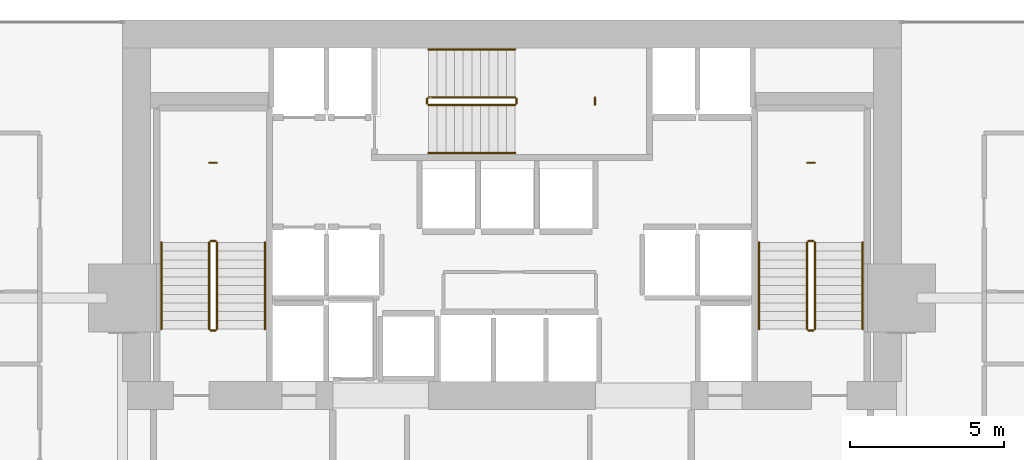
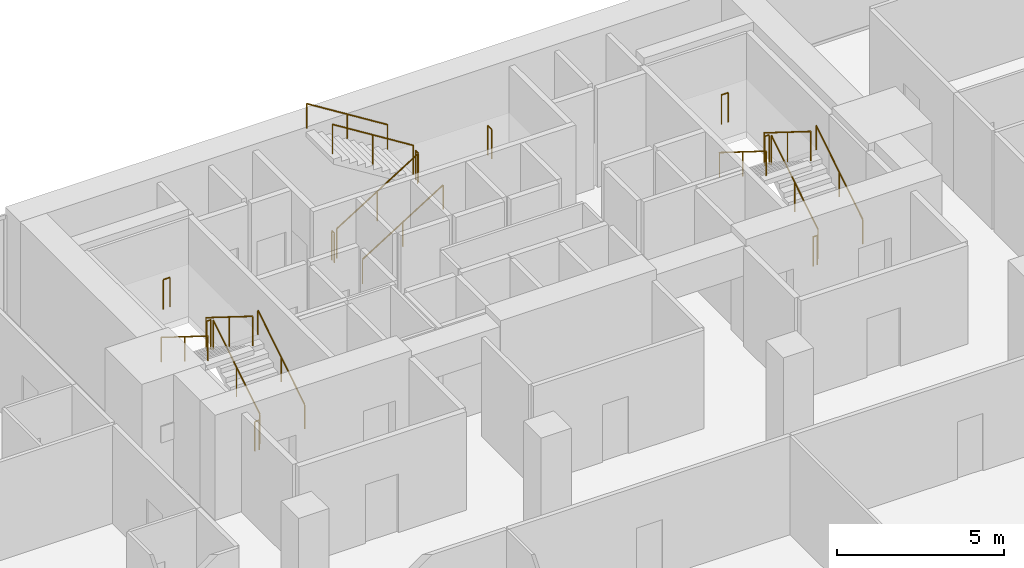
# One storey, part 40 of 40: 21 railings.
"""IFC4 building model written with IfcOpenShell, lengths in metres."""

from ifc_helpers import new_model, si_unit, direction, frame, origin, origin_2d, place, context, subcontext, project, spatial, circle, extrude, material, type_object, element, save


model = new_model("IFC4")

# Units and contexts
model_context = context("Model", 3, precision=1e-05, world=origin(), true_north=direction((0.0, 1.0)))
body_context = subcontext(model_context, "Body", "Model", "MODEL_VIEW")
ifc_project = project(units=[si_unit("LENGTHUNIT", "METRE"), si_unit("AREAUNIT", "SQUARE_METRE"), si_unit("VOLUMEUNIT", "CUBIC_METRE"), si_unit("PLANEANGLEUNIT", "RADIAN"), si_unit("MASSUNIT", "GRAM", prefix="KILO")], contexts=[model_context])

# Site, building, storey
site_placement = place(None, origin())
site = spatial("IfcSite", under=ifc_project, at=site_placement, CompositionType="ELEMENT")
building_placement = place(site_placement, origin())
building = spatial("IfcBuilding", under=site, at=building_placement, Name="Maruvema Waterfront Hotel and Observation Tower", CompositionType="ELEMENT")
storey_placement = place(building_placement, frame((0.0, 0.0, 42.35009765625)))
storey = spatial("IfcBuildingStorey", under=building, at=storey_placement, Name="L09", CompositionType="ELEMENT", Elevation=42.35009765625)

# Railings
ifc_material_1 = material(Name="Brushed stainless steel Grade 316", Category="steel")
railing_type_1 = type_object("IfcRailingType", Name="Ramp Continuous Wall Handrail 920 mm", PredefinedType="HANDRAIL", material=ifc_material_1)
railing_1_placement = place(storey_placement, frame((29.800048828125, 44.0, 0.1748046875)))
element("IfcRailing", 1, at=railing_1_placement, inside=storey, type_object=railing_type_1, Name="L09 ST-01 stair handrail 1", PredefinedType="HANDRAIL", context=body_context, shape_type="SweptSolid", body=[
    extrude(circle(Radius=0.02392578125, at=origin_2d()), frame((0.0, 0.0, 0.89599609375), z_axis=(0.0, 0.848002457836, 0.529992293815), x_axis=(-1.0, 0.0, 0.0)), (0.0, 0.0, 1.0), 3.302001953125),
    extrude(circle(Radius=0.02099609375, at=origin_2d()), origin(), (0.0, 0.0, 1.0), 0.871826171875),
    extrude(circle(Radius=0.02099609375, at=origin_2d()), frame((0.0, 1.39990234375, 0.875)), (0.0, 0.0, 1.0), 0.871826171875),
    extrude(circle(Radius=0.02099609375, at=origin_2d()), frame((0.0, 2.800048828125, 1.75)), (0.0, 0.0, 1.0), 0.871826171875),
])
railing_2_placement = place(storey_placement, frame((26.449951171875, 46.800048828125, 2.099853515625)))
element("IfcRailing", 2, at=railing_2_placement, inside=storey, type_object=railing_type_1, Name="L09 ST-01 stair handrail 2", PredefinedType="HANDRAIL", context=body_context, shape_type="SweptSolid", body=[
    extrude(circle(Radius=0.02392578125, at=origin_2d()), frame((0.0, 0.0, 0.89599609375), z_axis=(0.0, -0.848002457836, 0.529992293815), x_axis=(1.0, 0.0, 0.0)), (0.0, 0.0, 1.0), 3.302001953125),
    extrude(circle(Radius=0.02099609375, at=origin_2d()), origin(), (0.0, 0.0, 1.0), 0.871826171875),
    extrude(circle(Radius=0.02099609375, at=origin_2d()), frame((0.0, -1.39990234375, 0.875)), (0.0, 0.0, 1.0), 0.871826171875),
    extrude(circle(Radius=0.02099609375, at=origin_2d()), frame((0.0, -2.800048828125, 1.75)), (0.0, 0.0, 1.0), 0.871826171875),
])
railing_3_placement = place(storey_placement, frame((35.10009765625, 49.699951171875, 0.1748046875)))
element("IfcRailing", 3, at=railing_3_placement, inside=storey, type_object=railing_type_1, Name="L09 ST-02 stair handrail 1", PredefinedType="HANDRAIL", context=body_context, shape_type="SweptSolid", body=[
    extrude(circle(Radius=0.02392578125, at=origin_2d()), frame((0.0, 0.0, 0.89599609375), z_axis=(0.847981687118, 0.0, 0.530025526095), x_axis=(0.0, 1.0, 0.0)), (0.0, 0.0, 1.0), 3.3017578125),
    extrude(circle(Radius=0.02099609375, at=origin_2d()), origin(), (0.0, 0.0, 1.0), 0.871826171875),
    extrude(circle(Radius=0.02099609375, at=origin_2d()), frame((1.39990234375, 0.0, 0.875)), (0.0, 0.0, 1.0), 0.871826171875),
    extrude(circle(Radius=0.02099609375, at=origin_2d()), frame((2.7998046875, 0.0, 1.75)), (0.0, 0.0, 1.0), 0.871826171875),
])
railing_4_placement = place(storey_placement, frame((37.89990234375, 53.050048828125, 2.099853515625)))
element("IfcRailing", 4, at=railing_4_placement, inside=storey, type_object=railing_type_1, Name="L09 ST-02 stair handrail 2", PredefinedType="HANDRAIL", context=body_context, shape_type="SweptSolid", body=[
    extrude(circle(Radius=0.02392578125, at=origin_2d()), frame((0.0, 0.0, 0.89599609375), z_axis=(-0.847981687118, 0.0, 0.530025526095), x_axis=(0.0, -1.0, 0.0)), (0.0, 0.0, 1.0), 3.3017578125),
    extrude(circle(Radius=0.02099609375, at=origin_2d()), origin(), (0.0, 0.0, 1.0), 0.871826171875),
    extrude(circle(Radius=0.02099609375, at=origin_2d()), frame((-1.39990234375, 0.0, 0.875)), (0.0, 0.0, 1.0), 0.871826171875),
    extrude(circle(Radius=0.02099609375, at=origin_2d()), frame((-2.7998046875, 0.0, 1.75)), (0.0, 0.0, 1.0), 0.871826171875),
])
railing_5_placement = place(storey_placement, frame((49.14990234375, 44.0, 0.1748046875)))
element("IfcRailing", 5, at=railing_5_placement, inside=storey, type_object=railing_type_1, Name="L09 ST-03 stair handrail 1", PredefinedType="HANDRAIL", context=body_context, shape_type="SweptSolid", body=[
    extrude(circle(Radius=0.02392578125, at=origin_2d()), frame((0.0, 0.0, 0.89599609375), z_axis=(0.0, 0.848002457836, 0.529992293815), x_axis=(-1.0, 0.0, 0.0)), (0.0, 0.0, 1.0), 3.302001953125),
    extrude(circle(Radius=0.02099609375, at=origin_2d()), origin(), (0.0, 0.0, 1.0), 0.871826171875),
    extrude(circle(Radius=0.02099609375, at=origin_2d()), frame((0.0, 1.39990234375, 0.875)), (0.0, 0.0, 1.0), 0.871826171875),
    extrude(circle(Radius=0.02099609375, at=origin_2d()), frame((0.0, 2.800048828125, 1.75)), (0.0, 0.0, 1.0), 0.871826171875),
])
railing_6_placement = place(storey_placement, frame((45.800048828125, 46.800048828125, 2.099853515625)))
element("IfcRailing", 6, at=railing_6_placement, inside=storey, type_object=railing_type_1, Name="L09 ST-03 stair handrail 2", PredefinedType="HANDRAIL", context=body_context, shape_type="SweptSolid", body=[
    extrude(circle(Radius=0.02392578125, at=origin_2d()), frame((0.0, 0.0, 0.89599609375), z_axis=(0.0, -0.848002457836, 0.529992293815), x_axis=(1.0, 0.0, 0.0)), (0.0, 0.0, 1.0), 3.302001953125),
    extrude(circle(Radius=0.02099609375, at=origin_2d()), origin(), (0.0, 0.0, 1.0), 0.871826171875),
    extrude(circle(Radius=0.02099609375, at=origin_2d()), frame((0.0, -1.39990234375, 0.875)), (0.0, 0.0, 1.0), 0.871826171875),
    extrude(circle(Radius=0.02099609375, at=origin_2d()), frame((0.0, -2.800048828125, 1.75)), (0.0, 0.0, 1.0), 0.871826171875),
])
ifc_material_2 = material(Name="Brushed stainless steel Grade 316", Category="steel")
railing_type_2 = type_object("IfcRailingType", Name="Ramp and Terrace Guard Balustrade 1100 mm", PredefinedType="BALUSTRADE", material=ifc_material_2)
railing_7_placement = place(storey_placement, frame((28.25, 44.0, 0.1748046875)))
element("IfcRailing", 7, at=railing_7_placement, inside=storey, type_object=railing_type_2, Name="L09 ST-01 stair guard 1", PredefinedType="BALUSTRADE", context=body_context, shape_type="SweptSolid", body=[
    extrude(circle(Radius=0.02392578125, at=origin_2d()), frame((0.0, 0.0, 1.076171875), z_axis=(0.0, 0.848002457836, 0.529992293815), x_axis=(-1.0, 0.0, 0.0)), (0.0, 0.0, 1.0), 3.302001953125),
    extrude(circle(Radius=0.02099609375, at=origin_2d()), origin(), (0.0, 0.0, 1.0), 1.052001953125),
    extrude(circle(Radius=0.02099609375, at=origin_2d()), frame((0.0, 1.39990234375, 0.875)), (0.0, 0.0, 1.0), 1.052001953125),
    extrude(circle(Radius=0.02099609375, at=origin_2d()), frame((0.0, 2.800048828125, 1.75)), (0.0, 0.0, 1.0), 1.052001953125),
])
railing_8_placement = place(storey_placement, frame((28.199951171875, 46.85009765625, 1.9248046875)))
element("IfcRailing", 8, at=railing_8_placement, inside=storey, type_object=railing_type_2, Name="L09 ST-01 stair guard 2", PredefinedType="BALUSTRADE", context=body_context, shape_type="SweptSolid", body=[
    extrude(circle(Radius=0.02392578125, at=origin_2d()), frame((0.0, 0.0, 1.076171875), z_axis=(-1.0, 0.0, 0.0), x_axis=(0.0, -1.0, 0.0)), (0.0, 0.0, 1.0), 0.14990234375),
    extrude(circle(Radius=0.02099609375, at=origin_2d()), origin(), (0.0, 0.0, 1.0), 1.052001953125),
    extrude(circle(Radius=0.02099609375, at=origin_2d()), frame((-0.14990234375, 0.0, 0.0)), (0.0, 0.0, 1.0), 1.052001953125),
])
railing_9_placement = place(storey_placement, frame((28.0, 46.800048828125, 2.099853515625)))
element("IfcRailing", 9, at=railing_9_placement, inside=storey, type_object=railing_type_2, Name="L09 ST-01 stair guard 3", PredefinedType="BALUSTRADE", context=body_context, shape_type="SweptSolid", body=[
    extrude(circle(Radius=0.02392578125, at=origin_2d()), frame((0.0, 0.0, 1.076171875), z_axis=(0.0, -0.848002457836, 0.529992293815), x_axis=(1.0, 0.0, 0.0)), (0.0, 0.0, 1.0), 3.302001953125),
    extrude(circle(Radius=0.02099609375, at=origin_2d()), origin(), (0.0, 0.0, 1.0), 1.052001953125),
    extrude(circle(Radius=0.02099609375, at=origin_2d()), frame((0.0, -1.39990234375, 0.875)), (0.0, 0.0, 1.0), 1.052001953125),
    extrude(circle(Radius=0.02099609375, at=origin_2d()), frame((0.0, -2.800048828125, 1.75)), (0.0, 0.0, 1.0), 1.052001953125),
])
railing_10_placement = place(storey_placement, frame((28.199951171875, 43.949951171875, 0.0)))
element("IfcRailing", 10, at=railing_10_placement, inside=storey, type_object=railing_type_2, Name="L09 ST-01 stair guard 4", PredefinedType="BALUSTRADE", context=body_context, shape_type="SweptSolid", body=[
    extrude(circle(Radius=0.02392578125, at=origin_2d()), frame((0.0, 0.0, 1.076171875), z_axis=(-1.0, 0.0, 0.0), x_axis=(0.0, -1.0, 0.0)), (0.0, 0.0, 1.0), 0.14990234375),
    extrude(circle(Radius=0.02099609375, at=origin_2d()), origin(), (0.0, 0.0, 1.0), 1.052001953125),
    extrude(circle(Radius=0.02099609375, at=origin_2d()), frame((-0.14990234375, 0.0, 0.0)), (0.0, 0.0, 1.0), 1.052001953125),
])
railing_11_placement = place(storey_placement, frame((28.239990234375, 49.3798828125, 1.9248046875)))
element("IfcRailing", 11, at=railing_11_placement, inside=storey, type_object=railing_type_2, Name="L09 ST-01 Half-Landing Slot Guard", PredefinedType="BALUSTRADE", context=body_context, shape_type="SweptSolid", body=[
    extrude(circle(Radius=0.02392578125, at=origin_2d()), frame((0.0, 0.0, 1.076171875), z_axis=(-1.0, 0.0, 0.0), x_axis=(0.0, -1.0, 0.0)), (0.0, 0.0, 1.0), 0.22998046875),
    extrude(circle(Radius=0.02099609375, at=origin_2d()), origin(), (0.0, 0.0, 1.0), 1.052001953125),
    extrude(circle(Radius=0.02099609375, at=origin_2d()), frame((-0.22998046875, 0.0, 0.0)), (0.0, 0.0, 1.0), 1.052001953125),
])
railing_12_placement = place(storey_placement, frame((35.10009765625, 51.25, 0.1748046875)))
element("IfcRailing", 12, at=railing_12_placement, inside=storey, type_object=railing_type_2, Name="L09 ST-02 stair guard 1", PredefinedType="BALUSTRADE", context=body_context, shape_type="SweptSolid", body=[
    extrude(circle(Radius=0.02392578125, at=origin_2d()), frame((0.0, 0.0, 1.076171875), z_axis=(0.847981687118, 0.0, 0.530025526095), x_axis=(0.0, 1.0, 0.0)), (0.0, 0.0, 1.0), 3.3017578125),
    extrude(circle(Radius=0.02099609375, at=origin_2d()), origin(), (0.0, 0.0, 1.0), 1.052001953125),
    extrude(circle(Radius=0.02099609375, at=origin_2d()), frame((1.39990234375, 0.0, 0.875)), (0.0, 0.0, 1.0), 1.052001953125),
    extrude(circle(Radius=0.02099609375, at=origin_2d()), frame((2.7998046875, 0.0, 1.75)), (0.0, 0.0, 1.0), 1.052001953125),
])
railing_13_placement = place(storey_placement, frame((37.949951171875, 51.300048828125, 1.9248046875)))
element("IfcRailing", 13, at=railing_13_placement, inside=storey, type_object=railing_type_2, Name="L09 ST-02 stair guard 2", PredefinedType="BALUSTRADE", context=body_context, shape_type="SweptSolid", body=[
    extrude(circle(Radius=0.02392578125, at=origin_2d()), frame((0.0, 0.0, 1.076171875), z_axis=(0.0, 1.0, 0.0), x_axis=(-1.0, 0.0, 0.0)), (0.0, 0.0, 1.0), 0.14990234375),
    extrude(circle(Radius=0.02099609375, at=origin_2d()), origin(), (0.0, 0.0, 1.0), 1.052001953125),
    extrude(circle(Radius=0.02099609375, at=origin_2d()), frame((0.0, 0.14990234375, 0.0)), (0.0, 0.0, 1.0), 1.052001953125),
])
railing_14_placement = place(storey_placement, frame((37.89990234375, 51.5, 2.099853515625)))
element("IfcRailing", 14, at=railing_14_placement, inside=storey, type_object=railing_type_2, Name="L09 ST-02 stair guard 3", PredefinedType="BALUSTRADE", context=body_context, shape_type="SweptSolid", body=[
    extrude(circle(Radius=0.02392578125, at=origin_2d()), frame((0.0, 0.0, 1.076171875), z_axis=(-0.847981687118, 0.0, 0.530025526095), x_axis=(0.0, -1.0, 0.0)), (0.0, 0.0, 1.0), 3.3017578125),
    extrude(circle(Radius=0.02099609375, at=origin_2d()), origin(), (0.0, 0.0, 1.0), 1.052001953125),
    extrude(circle(Radius=0.02099609375, at=origin_2d()), frame((-1.39990234375, 0.0, 0.875)), (0.0, 0.0, 1.0), 1.052001953125),
    extrude(circle(Radius=0.02099609375, at=origin_2d()), frame((-2.7998046875, 0.0, 1.75)), (0.0, 0.0, 1.0), 1.052001953125),
])
railing_15_placement = place(storey_placement, frame((35.050048828125, 51.300048828125, 0.0)))
element("IfcRailing", 15, at=railing_15_placement, inside=storey, type_object=railing_type_2, Name="L09 ST-02 stair guard 4", PredefinedType="BALUSTRADE", context=body_context, shape_type="SweptSolid", body=[
    extrude(circle(Radius=0.02392578125, at=origin_2d()), frame((0.0, 0.0, 1.076171875), z_axis=(0.0, 1.0, 0.0), x_axis=(-1.0, 0.0, 0.0)), (0.0, 0.0, 1.0), 0.14990234375),
    extrude(circle(Radius=0.02099609375, at=origin_2d()), origin(), (0.0, 0.0, 1.0), 1.052001953125),
    extrude(circle(Radius=0.02099609375, at=origin_2d()), frame((0.0, 0.14990234375, 0.0)), (0.0, 0.0, 1.0), 1.052001953125),
])
railing_16_placement = place(storey_placement, frame((40.47998046875, 51.260009765625, 1.9248046875)))
element("IfcRailing", 16, at=railing_16_placement, inside=storey, type_object=railing_type_2, Name="L09 ST-02 Half-Landing Slot Guard", PredefinedType="BALUSTRADE", context=body_context, shape_type="SweptSolid", body=[
    extrude(circle(Radius=0.02392578125, at=origin_2d()), frame((0.0, 0.0, 1.076171875), z_axis=(0.0, 1.0, 0.0), x_axis=(-1.0, 0.0, 0.0)), (0.0, 0.0, 1.0), 0.22998046875),
    extrude(circle(Radius=0.02099609375, at=origin_2d()), origin(), (0.0, 0.0, 1.0), 1.052001953125),
    extrude(circle(Radius=0.02099609375, at=origin_2d()), frame((0.0, 0.22998046875, 0.0)), (0.0, 0.0, 1.0), 1.052001953125),
])
railing_17_placement = place(storey_placement, frame((47.60009765625, 44.0, 0.1748046875)))
element("IfcRailing", 17, at=railing_17_placement, inside=storey, type_object=railing_type_2, Name="L09 ST-03 stair guard 1", PredefinedType="BALUSTRADE", context=body_context, shape_type="SweptSolid", body=[
    extrude(circle(Radius=0.02392578125, at=origin_2d()), frame((0.0, 0.0, 1.076171875), z_axis=(0.0, 0.848002457836, 0.529992293815), x_axis=(-1.0, 0.0, 0.0)), (0.0, 0.0, 1.0), 3.302001953125),
    extrude(circle(Radius=0.02099609375, at=origin_2d()), origin(), (0.0, 0.0, 1.0), 1.052001953125),
    extrude(circle(Radius=0.02099609375, at=origin_2d()), frame((0.0, 1.39990234375, 0.875)), (0.0, 0.0, 1.0), 1.052001953125),
    extrude(circle(Radius=0.02099609375, at=origin_2d()), frame((0.0, 2.800048828125, 1.75)), (0.0, 0.0, 1.0), 1.052001953125),
])
railing_18_placement = place(storey_placement, frame((47.550048828125, 46.85009765625, 1.9248046875)))
element("IfcRailing", 18, at=railing_18_placement, inside=storey, type_object=railing_type_2, Name="L09 ST-03 stair guard 2", PredefinedType="BALUSTRADE", context=body_context, shape_type="SweptSolid", body=[
    extrude(circle(Radius=0.02392578125, at=origin_2d()), frame((0.0, 0.0, 1.076171875), z_axis=(-1.0, 0.0, 0.0), x_axis=(0.0, -1.0, 0.0)), (0.0, 0.0, 1.0), 0.150146484375),
    extrude(circle(Radius=0.02099609375, at=origin_2d()), origin(), (0.0, 0.0, 1.0), 1.052001953125),
    extrude(circle(Radius=0.02099609375, at=origin_2d()), frame((-0.150146484375, 0.0, 0.0)), (0.0, 0.0, 1.0), 1.052001953125),
])
railing_19_placement = place(storey_placement, frame((47.35009765625, 46.800048828125, 2.099853515625)))
element("IfcRailing", 19, at=railing_19_placement, inside=storey, type_object=railing_type_2, Name="L09 ST-03 stair guard 3", PredefinedType="BALUSTRADE", context=body_context, shape_type="SweptSolid", body=[
    extrude(circle(Radius=0.02392578125, at=origin_2d()), frame((0.0, 0.0, 1.076171875), z_axis=(0.0, -0.848002457836, 0.529992293815), x_axis=(1.0, 0.0, 0.0)), (0.0, 0.0, 1.0), 3.302001953125),
    extrude(circle(Radius=0.02099609375, at=origin_2d()), origin(), (0.0, 0.0, 1.0), 1.052001953125),
    extrude(circle(Radius=0.02099609375, at=origin_2d()), frame((0.0, -1.39990234375, 0.875)), (0.0, 0.0, 1.0), 1.052001953125),
    extrude(circle(Radius=0.02099609375, at=origin_2d()), frame((0.0, -2.800048828125, 1.75)), (0.0, 0.0, 1.0), 1.052001953125),
])
railing_20_placement = place(storey_placement, frame((47.550048828125, 43.949951171875, 0.0)))
element("IfcRailing", 20, at=railing_20_placement, inside=storey, type_object=railing_type_2, Name="L09 ST-03 stair guard 4", PredefinedType="BALUSTRADE", context=body_context, shape_type="SweptSolid", body=[
    extrude(circle(Radius=0.02392578125, at=origin_2d()), frame((0.0, 0.0, 1.076171875), z_axis=(-1.0, 0.0, 0.0), x_axis=(0.0, -1.0, 0.0)), (0.0, 0.0, 1.0), 0.150146484375),
    extrude(circle(Radius=0.02099609375, at=origin_2d()), origin(), (0.0, 0.0, 1.0), 1.052001953125),
    extrude(circle(Radius=0.02099609375, at=origin_2d()), frame((-0.150146484375, 0.0, 0.0)), (0.0, 0.0, 1.0), 1.052001953125),
])
railing_21_placement = place(storey_placement, frame((47.590087890625, 49.3798828125, 1.9248046875)))
element("IfcRailing", 21, at=railing_21_placement, inside=storey, type_object=railing_type_2, Name="L09 ST-03 Half-Landing Slot Guard", PredefinedType="BALUSTRADE", context=body_context, shape_type="SweptSolid", body=[
    extrude(circle(Radius=0.02392578125, at=origin_2d()), frame((0.0, 0.0, 1.076171875), z_axis=(-1.0, 0.0, 0.0), x_axis=(0.0, -1.0, 0.0)), (0.0, 0.0, 1.0), 0.22998046875),
    extrude(circle(Radius=0.02099609375, at=origin_2d()), origin(), (0.0, 0.0, 1.0), 1.052001953125),
    extrude(circle(Radius=0.02099609375, at=origin_2d()), frame((-0.22998046875, 0.0, 0.0)), (0.0, 0.0, 1.0), 1.052001953125),
])

save(model, "model.ifc")
